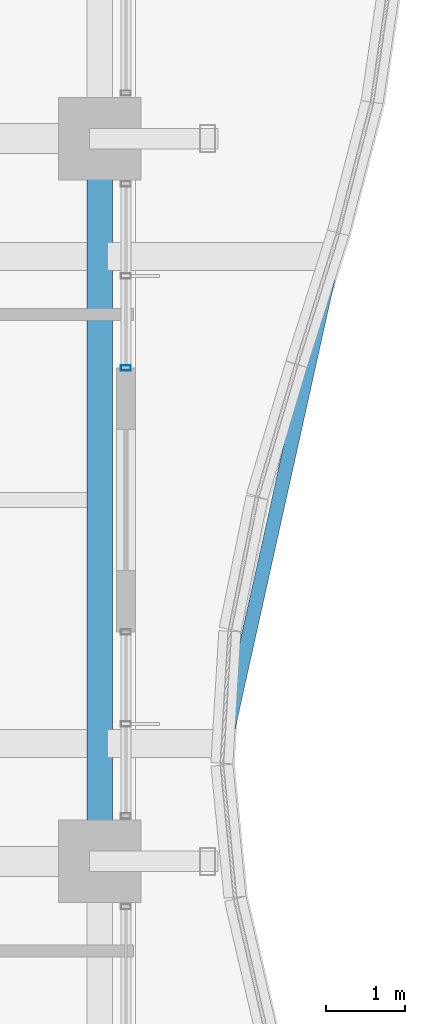
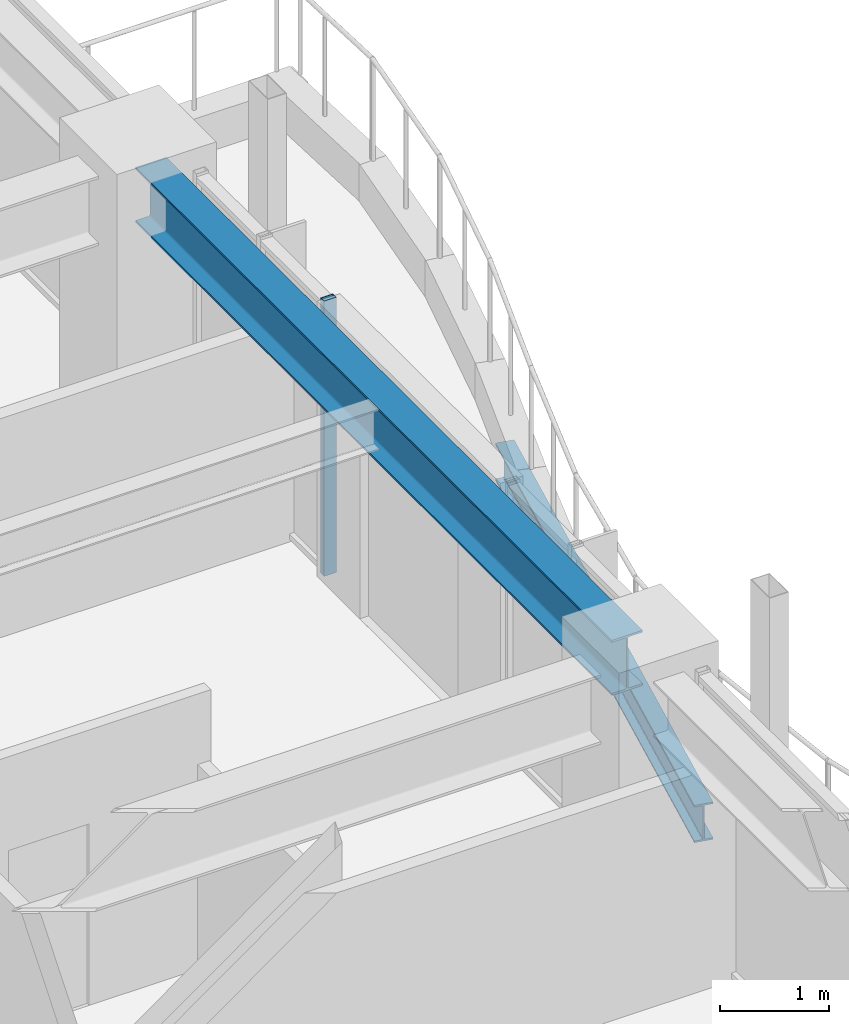
# One storey, part 17 of 38: 2 beams, 1 member, 1 element without a shape of its own.
"""IFC4 building model written with IfcOpenShell, lengths in metres."""

from ifc_helpers import new_model, si_unit, direction, frame, origin, origin_2d, place, context, subcontext, project, spatial, hollow_rectangle, i_section, extrude, material, material_profile, profile_set, type_object, element, aggregate, save


model = new_model("IFC4")

# Units and contexts
model_context = context("Model", 3, precision=1e-05, world=origin(), true_north=direction((0.0, 1.0)))
body_context = subcontext(model_context, "Body", "Model", "MODEL_VIEW")
ifc_project = project(units=[si_unit("LENGTHUNIT", "METRE"), si_unit("AREAUNIT", "SQUARE_METRE"), si_unit("VOLUMEUNIT", "CUBIC_METRE"), si_unit("PLANEANGLEUNIT", "RADIAN"), si_unit("MASSUNIT", "GRAM", prefix="KILO")], contexts=[model_context])

# Site, building, storey
site_placement = place(None, origin())
site = spatial("IfcSite", under=ifc_project, at=site_placement, CompositionType="ELEMENT")
building_placement = place(site_placement, origin())
building = spatial("IfcBuilding", under=site, at=building_placement, Name="Kolvaren Belvedere", CompositionType="ELEMENT")
storey_placement = place(building_placement, frame((0.0, 0.0, 121.699951171875)))
storey = spatial("IfcBuildingStorey", under=building, at=storey_placement, Name="L35", CompositionType="ELEMENT", Elevation=121.699951171875)

# Beams
ifc_material_1 = material(Name="Structural steel ASTM A992 Grade 50", Category="steel")
ifc_material_profile_1 = material_profile(ifc_material_1, i_section(OverallWidth=0.180908203125, OverallDepth=0.4169921875, WebThickness=0.010986328125, FlangeThickness=0.018310546875, FilletRadius=0.013916015625, at=origin_2d()), Name="W16X57")
ifc_profile_set_1 = profile_set([ifc_material_profile_1], Name="Structural steel ASTM A992 Grade 50")
beam_type_1 = type_object("IfcBeamType", Name="BM-EDGE-W16X57", PredefinedType="BEAM", material=ifc_profile_set_1)
beam_1_placement = place(storey_placement, frame((20.26806640625, -2.96337890625, -0.428466796875), z_axis=(0.216866590272, 0.97620125078, 0.0), x_axis=(-0.97620125078, 0.216866590272, 0.0)))
element("IfcBeam", 1, at=beam_1_placement, inside=storey, type_object=beam_type_1, Name="L35 Balcony Tip Header Beam BAL-E", PredefinedType="BEAM", context=body_context, shape_type="SweptSolid", body=[
    extrude(i_section(OverallWidth=0.180908203125, OverallDepth=0.4169921875, WebThickness=0.010986328125, FlangeThickness=0.018310546875, FilletRadius=0.013916015625, at=origin_2d()), origin(), (0.0, 0.0, 1.0), 6.0712890625),
])
ifc_material_2 = material(Name="Structural steel ASTM A992 Grade 50", Category="steel")
ifc_material_profile_2 = material_profile(ifc_material_2, i_section(OverallWidth=0.324951171875, OverallDepth=0.615966796875, WebThickness=0.013916015625, FlangeThickness=0.021484375, FilletRadius=0.02001953125, at=origin_2d()), Name="W24X117")
ifc_profile_set_2 = profile_set([ifc_material_profile_2], Name="Structural steel ASTM A992 Grade 50")
beam_type_2 = type_object("IfcBeamType", Name="BM-SPAN-W24X117", PredefinedType="SPANDREL", material=ifc_profile_set_2)
beam_2_placement = place(storey_placement, frame((18.64990234375, -4.36376953125, 2.77197265625), z_axis=(0.0, 1.0, 0.0), x_axis=(-1.0, 0.0, 0.0)))
element("IfcBeam", 2, at=beam_2_placement, inside=storey, type_object=beam_type_2, Name="L35 Perimeter Spandrel E2-E3", PredefinedType="SPANDREL", context=body_context, shape_type="SweptSolid", body=[
    extrude(i_section(OverallWidth=0.324951171875, OverallDepth=0.615966796875, WebThickness=0.013916015625, FlangeThickness=0.021484375, FilletRadius=0.02001953125, at=origin_2d()), origin(), (0.0, 0.0, 1.0), 8.7275390625),
])

# Curtain wall, member
ifc_material_3 = material(Name="Anodised pale-metal aluminium AA 6063-T6", Category="aluminium")
curtain_wall_type = type_object("IfcCurtainWallType", Name="CW-Z3-WAIST", PredefinedType="NOTDEFINED", material=ifc_material_3)
curtain_wall_placement = place(storey_placement, origin())
curtain_wall = element("IfcCurtainWall", 3, at=curtain_wall_placement, inside=storey, type_object=curtain_wall_type, Name="L35 Unitised Curtain Wall FCW-L35-E1-B2", PredefinedType="NOTDEFINED")
ifc_material_4 = material(Name="Anodised pale-metal aluminium AA 6063-T6", Category="aluminium")
ifc_material_profile_3 = material_profile(ifc_material_4, hollow_rectangle(XDim=0.06494140625, YDim=0.1298828125, WallThickness=0.00390625, at=origin_2d()), Name="ALU-MUL-130X65")
ifc_profile_set_3 = profile_set([ifc_material_profile_3], Name="Anodised pale-metal aluminium AA 6063-T6")
member_type = type_object("IfcMemberType", Name="CW-MUL-130", PredefinedType="MULLION", material=ifc_profile_set_3)
member_placement = place(storey_placement, frame((18.97998046875, 1.679931640625, 0.0), z_axis=(0.0, 0.0, 1.0), x_axis=(0.0, 1.0, 0.0)))
member = element("IfcMember", 4, at=member_placement, type_object=member_type, Name="FCW-L35-E1-B2 Unitised Mullion 3", PredefinedType="MULLION", context=body_context, shape_type="SweptSolid", body=[
    extrude(hollow_rectangle(XDim=0.06494140625, YDim=0.1298828125, WallThickness=0.00390625, at=origin_2d()), origin(), (0.0, 0.0, 1.0), 3.080078125),
])
aggregate(curtain_wall, [member])

save(model, "model.ifc")
